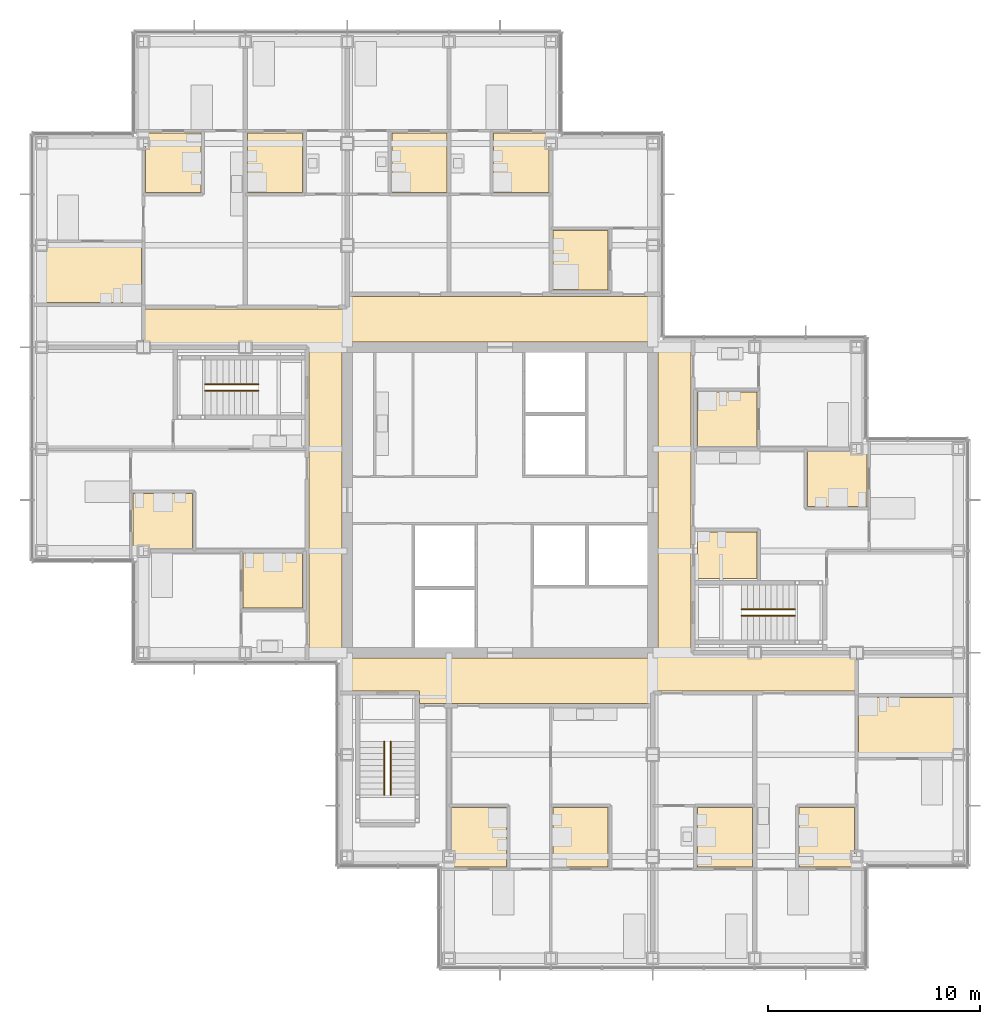
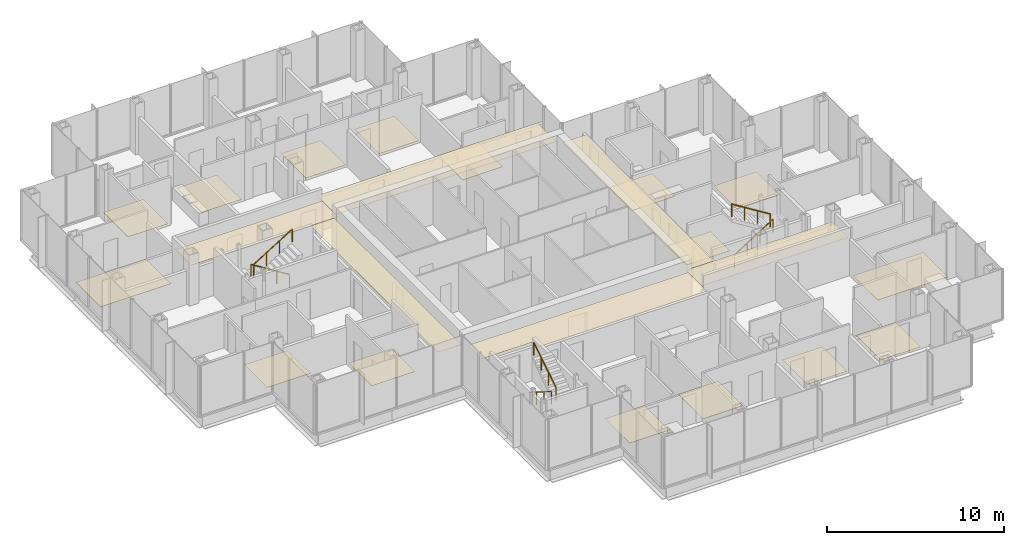
# One storey, part 18 of 20: 22 coverings, 6 railings.
"""IFC4 building model written with IfcOpenShell, lengths in metres."""

from ifc_helpers import new_model, si_unit, direction, frame, origin, origin_2d, place, context, subcontext, project, spatial, polyline, circle, outline, extrude, material, layer, layer_set, type_object, element, save


model = new_model("IFC4")

# Units and contexts
model_context = context("Model", 3, precision=1e-05, world=origin(), true_north=direction((0.0, 1.0)))
body_context = subcontext(model_context, "Body", "Model", "MODEL_VIEW")
ifc_project = project(units=[si_unit("LENGTHUNIT", "METRE"), si_unit("AREAUNIT", "SQUARE_METRE"), si_unit("VOLUMEUNIT", "CUBIC_METRE"), si_unit("PLANEANGLEUNIT", "RADIAN"), si_unit("MASSUNIT", "GRAM", prefix="KILO")], contexts=[model_context])

# Site, building, storey
site_placement = place(None, origin())
site = spatial("IfcSite", under=ifc_project, at=site_placement, CompositionType="ELEMENT")
building_placement = place(site_placement, origin())
building = spatial("IfcBuilding", under=site, at=building_placement, Name="Kvirike Care Tower", CompositionType="ELEMENT")
storey_placement = place(building_placement, frame((0.0, 0.0, 122.5)))
storey = spatial("IfcBuildingStorey", under=building, at=storey_placement, Name="L33", CompositionType="ELEMENT", Elevation=122.5)

# Coverings
ifc_material_1 = material(Name="Perforated metal ceiling tile", Category="aluminium")
ifc_layer_1 = layer(ifc_material_1, 0.014892578125)
ifc_layer_set_1 = layer_set([ifc_layer_1], Name="CORRIDOR CEILING 15")
covering_type_1 = type_object("IfcCoveringType", Name="CORRIDOR CEILING 15", PredefinedType="CEILING", material=ifc_layer_set_1)
covering_1_placement = place(storey_placement, frame((0.0, 0.0, 2.5)))
element("IfcCovering", 1, at=covering_1_placement, inside=storey, type_object=covering_type_1, Name="Corridor ceiling L33", PredefinedType="CEILING", context=body_context, shape_type="SweptSolid", body=[
    extrude(outline(polyline([(12.60009765625, 43.199951171875), (14.14990234375, 43.199951171875), (14.14990234375, 28.800048828125), (12.60009765625, 28.800048828125), (12.60009765625, 43.199951171875)])), origin(), (0.0, 0.0, 1.0), 0.014892578125),
])
covering_2_placement = place(storey_placement, frame((0.0, 0.0, 2.5)))
element("IfcCovering", 2, at=covering_2_placement, inside=storey, type_object=covering_type_1, Name="Corridor ceiling L33", PredefinedType="CEILING", context=body_context, shape_type="SweptSolid", body=[
    extrude(outline(polyline([(14.39990234375, 45.0), (14.39990234375, 43.199951171875), (4.800048828125, 43.199951171875), (4.800048828125, 45.0), (14.39990234375, 45.0)])), origin(), (0.0, 0.0, 1.0), 0.014892578125),
])
covering_3_placement = place(storey_placement, frame((0.0, 0.0, 2.5)))
element("IfcCovering", 3, at=covering_3_placement, inside=storey, type_object=covering_type_1, Name="Corridor ceiling L33", PredefinedType="CEILING", context=body_context, shape_type="SweptSolid", body=[
    extrude(outline(polyline([(14.39990234375, 28.550048828125), (28.800048828125, 28.550048828125), (28.800048828125, 26.39990234375), (17.800048828125, 26.39990234375), (17.800048828125, 27.0), (14.39990234375, 27.0), (14.39990234375, 28.550048828125)])), origin(), (0.0, 0.0, 1.0), 0.014892578125),
])
covering_4_placement = place(storey_placement, frame((0.0, 0.0, 2.5)))
element("IfcCovering", 4, at=covering_4_placement, inside=storey, type_object=covering_type_1, Name="Corridor ceiling L33", PredefinedType="CEILING", context=body_context, shape_type="SweptSolid", body=[
    extrude(outline(polyline([(28.800048828125, 45.60009765625), (28.800048828125, 43.449951171875), (14.39990234375, 43.449951171875), (14.39990234375, 45.60009765625), (28.800048828125, 45.60009765625)])), origin(), (0.0, 0.0, 1.0), 0.014892578125),
])
covering_5_placement = place(storey_placement, frame((0.0, 0.0, 2.5)))
element("IfcCovering", 5, at=covering_5_placement, inside=storey, type_object=covering_type_1, Name="Corridor ceiling L33", PredefinedType="CEILING", context=body_context, shape_type="SweptSolid", body=[
    extrude(outline(polyline([(28.800048828125, 27.0), (28.800048828125, 28.800048828125), (38.39990234375, 28.800048828125), (38.39990234375, 27.0), (28.800048828125, 27.0)])), origin(), (0.0, 0.0, 1.0), 0.014892578125),
])
covering_6_placement = place(storey_placement, frame((0.0, 0.0, 2.5)))
element("IfcCovering", 6, at=covering_6_placement, inside=storey, type_object=covering_type_1, Name="Corridor ceiling L33", PredefinedType="CEILING", context=body_context, shape_type="SweptSolid", body=[
    extrude(outline(polyline([(30.60009765625, 28.800048828125), (29.050048828125, 28.800048828125), (29.050048828125, 43.199951171875), (30.60009765625, 43.199951171875), (30.60009765625, 28.800048828125)])), origin(), (0.0, 0.0, 1.0), 0.014892578125),
])

# Railings
ifc_material_2 = material(Name="Stainless steel handrail", Category="steel")
railing_type = type_object("IfcRailingType", Name="STAIR HANDRAIL 900", PredefinedType="HANDRAIL", material=ifc_material_2)
railing_1_placement = place(storey_placement, frame((10.219970703125, 41.449951171875, 0.175048828125)))
element("IfcRailing", 7, at=railing_1_placement, inside=storey, type_object=railing_type, Name="Stair 1 handrail L33 flight 1", PredefinedType="HANDRAIL", context=body_context, shape_type="SweptSolid", body=[
    extrude(circle(Radius=0.02490234375, at=origin_2d()), frame((0.0, 0.0, 0.875), z_axis=(-0.848007534815, 0.0, 0.529984170421), x_axis=(0.0, -1.0, 0.0)), (0.0, 0.0, 1.0), 2.9716796875),
    extrude(circle(Radius=0.02001953125, at=origin_2d()), origin(), (0.0, 0.0, 1.0), 0.849853515625),
    extrude(circle(Radius=0.02001953125, at=origin_2d()), frame((-0.840087890625, 0.0, 0.52490234375)), (0.0, 0.0, 1.0), 0.849853515625),
    extrude(circle(Radius=0.02001953125, at=origin_2d()), frame((-1.679931640625, 0.0, 1.050048828125)), (0.0, 0.0, 1.0), 0.849853515625),
    extrude(circle(Radius=0.02001953125, at=origin_2d()), frame((-2.52001953125, 0.0, 1.574951171875)), (0.0, 0.0, 1.0), 0.849853515625),
])
for number, where, name in (
    (8, (7.699951171875, 41.14990234375, 1.925048828125), "Stair 1 handrail L33 flight 2"),
    (9, (32.97998046875, 30.550048828125, 0.175048828125), "Stair 2 handrail L33 flight 1"),
):
    element("IfcRailing", number, at=place(storey_placement, frame(where)), inside=storey, type_object=railing_type, Name=name, PredefinedType="HANDRAIL", context=body_context, shape_type="SweptSolid", body=[
        extrude(circle(Radius=0.02490234375, at=origin_2d()), frame((0.0, 0.0, 0.875), z_axis=(0.848007534815, 0.0, 0.529984170421), x_axis=(0.0, 1.0, 0.0)), (0.0, 0.0, 1.0), 2.9716796875),
        extrude(circle(Radius=0.02001953125, at=origin_2d()), origin(), (0.0, 0.0, 1.0), 0.849853515625),
        extrude(circle(Radius=0.02001953125, at=origin_2d()), frame((0.840087890625, 0.0, 0.52490234375)), (0.0, 0.0, 1.0), 0.849853515625),
        extrude(circle(Radius=0.02001953125, at=origin_2d()), frame((1.679931640625, 0.0, 1.050048828125)), (0.0, 0.0, 1.0), 0.849853515625),
        extrude(circle(Radius=0.02001953125, at=origin_2d()), frame((2.52001953125, 0.0, 1.574951171875)), (0.0, 0.0, 1.0), 0.849853515625),
    ])
railing_2_placement = place(storey_placement, frame((35.5, 30.85009765625, 1.925048828125)))
element("IfcRailing", 10, at=railing_2_placement, inside=storey, type_object=railing_type, Name="Stair 2 handrail L33 flight 2", PredefinedType="HANDRAIL", context=body_context, shape_type="SweptSolid", body=[
    extrude(circle(Radius=0.02490234375, at=origin_2d()), frame((0.0, 0.0, 0.875), z_axis=(-0.848007534815, 0.0, 0.529984170421), x_axis=(0.0, -1.0, 0.0)), (0.0, 0.0, 1.0), 2.9716796875),
    extrude(circle(Radius=0.02001953125, at=origin_2d()), origin(), (0.0, 0.0, 1.0), 0.849853515625),
    extrude(circle(Radius=0.02001953125, at=origin_2d()), frame((-0.840087890625, 0.0, 0.52490234375)), (0.0, 0.0, 1.0), 0.849853515625),
    extrude(circle(Radius=0.02001953125, at=origin_2d()), frame((-1.679931640625, 0.0, 1.050048828125)), (0.0, 0.0, 1.0), 0.849853515625),
    extrude(circle(Radius=0.02001953125, at=origin_2d()), frame((-2.52001953125, 0.0, 1.574951171875)), (0.0, 0.0, 1.0), 0.849853515625),
])
railing_3_placement = place(storey_placement, frame((16.14990234375, 24.6201171875, 0.175048828125)))
element("IfcRailing", 11, at=railing_3_placement, inside=storey, type_object=railing_type, Name="Stair 5 handrail L33 flight 1", PredefinedType="HANDRAIL", context=body_context, shape_type="SweptSolid", body=[
    extrude(circle(Radius=0.02490234375, at=origin_2d()), frame((0.0, 0.0, 0.875), z_axis=(0.0, -0.848007534815, 0.529984170421), x_axis=(1.0, 0.0, 0.0)), (0.0, 0.0, 1.0), 2.9716796875),
    extrude(circle(Radius=0.02001953125, at=origin_2d()), origin(), (0.0, 0.0, 1.0), 0.849853515625),
    extrude(circle(Radius=0.02001953125, at=origin_2d()), frame((0.0, -0.840087890625, 0.52490234375)), (0.0, 0.0, 1.0), 0.849853515625),
    extrude(circle(Radius=0.02001953125, at=origin_2d()), frame((0.0, -1.679931640625, 1.050048828125)), (0.0, 0.0, 1.0), 0.849853515625),
    extrude(circle(Radius=0.02001953125, at=origin_2d()), frame((0.0, -2.52001953125, 1.574951171875)), (0.0, 0.0, 1.0), 0.849853515625),
])
railing_4_placement = place(storey_placement, frame((16.449951171875, 22.10009765625, 1.925048828125)))
element("IfcRailing", 12, at=railing_4_placement, inside=storey, type_object=railing_type, Name="Stair 5 handrail L33 flight 2", PredefinedType="HANDRAIL", context=body_context, shape_type="SweptSolid", body=[
    extrude(circle(Radius=0.02490234375, at=origin_2d()), frame((0.0, 0.0, 0.875), z_axis=(0.0, 0.848007534815, 0.529984170421), x_axis=(-1.0, 0.0, 0.0)), (0.0, 0.0, 1.0), 2.9716796875),
    extrude(circle(Radius=0.02001953125, at=origin_2d()), origin(), (0.0, 0.0, 1.0), 0.849853515625),
    extrude(circle(Radius=0.02001953125, at=origin_2d()), frame((0.0, 0.840087890625, 0.52490234375)), (0.0, 0.0, 1.0), 0.849853515625),
    extrude(circle(Radius=0.02001953125, at=origin_2d()), frame((0.0, 1.679931640625, 1.050048828125)), (0.0, 0.0, 1.0), 0.849853515625),
    extrude(circle(Radius=0.02001953125, at=origin_2d()), frame((0.0, 2.52001953125, 1.574951171875)), (0.0, 0.0, 1.0), 0.849853515625),
])

# Coverings
ifc_material_3 = material(Name="Slip-resistant vinyl safety flooring on screed")
ifc_layer_2 = layer(ifc_material_3, 0.02001953125)
ifc_layer_set_2 = layer_set([ifc_layer_2], Name="WET ROOM FLOOR 20")
covering_type_2 = type_object("IfcCoveringType", Name="WET ROOM FLOOR 20", PredefinedType="FLOORING", material=ifc_layer_set_2)
covering_7_placement = place(storey_placement, origin())
element("IfcCovering", 13, at=covering_7_placement, inside=storey, type_object=covering_type_2, Name="En-suite floor L33-005", PredefinedType="FLOORING", context=body_context, shape_type="SweptSolid", body=[
    extrude(outline(polyline([(4.300048828125, 36.300048828125), (7.10009765625, 36.300048828125), (7.10009765625, 33.699951171875), (4.300048828125, 33.699951171875), (4.300048828125, 36.300048828125)])), origin(), (0.0, 0.0, 1.0), 0.02001953125),
])
covering_8_placement = place(storey_placement, origin())
element("IfcCovering", 14, at=covering_8_placement, inside=storey, type_object=covering_type_2, Name="En-suite floor L33-009", PredefinedType="FLOORING", context=body_context, shape_type="SweptSolid", body=[
    extrude(outline(polyline([(9.5, 33.5), (12.300048828125, 33.5), (12.300048828125, 30.89990234375), (9.5, 30.89990234375), (9.5, 33.5)])), origin(), (0.0, 0.0, 1.0), 0.02001953125),
])
covering_9_placement = place(storey_placement, origin())
element("IfcCovering", 15, at=covering_9_placement, inside=storey, type_object=covering_type_2, Name="En-suite floor L33-013", PredefinedType="FLOORING", context=body_context, shape_type="SweptSolid", body=[
    extrude(outline(polyline([(12.300048828125, 53.300048828125), (12.300048828125, 50.5), (9.699951171875, 50.5), (9.699951171875, 53.300048828125), (12.300048828125, 53.300048828125)])), origin(), (0.0, 0.0, 1.0), 0.02001953125),
])
covering_10_placement = place(storey_placement, origin())
element("IfcCovering", 16, at=covering_10_placement, inside=storey, type_object=covering_type_2, Name="En-suite floor L33-018", PredefinedType="FLOORING", context=body_context, shape_type="SweptSolid", body=[
    extrude(outline(polyline([(7.5, 53.300048828125), (7.5, 50.5), (4.89990234375, 50.5), (4.89990234375, 53.300048828125), (7.5, 53.300048828125)])), origin(), (0.0, 0.0, 1.0), 0.02001953125),
])
covering_11_placement = place(storey_placement, origin())
element("IfcCovering", 17, at=covering_11_placement, inside=storey, type_object=covering_type_2, Name="En-suite floor L33-019", PredefinedType="FLOORING", context=body_context, shape_type="SweptSolid", body=[
    extrude(outline(polyline([(4.699951171875, 48.10009765625), (4.699951171875, 45.300048828125), (0.10009765625, 45.300048828125), (0.10009765625, 48.10009765625), (4.699951171875, 48.10009765625)])), origin(), (0.0, 0.0, 1.0), 0.02001953125),
])
covering_12_placement = place(storey_placement, origin())
element("IfcCovering", 18, at=covering_12_placement, inside=storey, type_object=covering_type_2, Name="En-suite floor L33-026", PredefinedType="FLOORING", context=body_context, shape_type="SweptSolid", body=[
    extrude(outline(polyline([(19.300048828125, 18.699951171875), (19.300048828125, 21.5), (21.89990234375, 21.5), (21.89990234375, 18.699951171875), (19.300048828125, 18.699951171875)])), origin(), (0.0, 0.0, 1.0), 0.02001953125),
])
covering_13_placement = place(storey_placement, origin())
element("IfcCovering", 19, at=covering_13_placement, inside=storey, type_object=covering_type_2, Name="En-suite floor L33-027", PredefinedType="FLOORING", context=body_context, shape_type="SweptSolid", body=[
    extrude(outline(polyline([(24.10009765625, 18.699951171875), (24.10009765625, 21.5), (26.699951171875, 21.5), (26.699951171875, 18.699951171875), (24.10009765625, 18.699951171875)])), origin(), (0.0, 0.0, 1.0), 0.02001953125),
])
covering_14_placement = place(storey_placement, origin())
element("IfcCovering", 20, at=covering_14_placement, inside=storey, type_object=covering_type_2, Name="Assisted bathroom floor L33-032", PredefinedType="FLOORING", context=body_context, shape_type="SweptSolid", body=[
    extrude(outline(polyline([(26.699951171875, 48.699951171875), (26.699951171875, 45.89990234375), (24.10009765625, 45.89990234375), (24.10009765625, 48.699951171875), (26.699951171875, 48.699951171875)])), origin(), (0.0, 0.0, 1.0), 0.02001953125),
])
covering_15_placement = place(storey_placement, origin())
element("IfcCovering", 21, at=covering_15_placement, inside=storey, type_object=covering_type_2, Name="En-suite floor L33-035", PredefinedType="FLOORING", context=body_context, shape_type="SweptSolid", body=[
    extrude(outline(polyline([(23.89990234375, 53.300048828125), (23.89990234375, 50.5), (21.300048828125, 50.5), (21.300048828125, 53.300048828125), (23.89990234375, 53.300048828125)])), origin(), (0.0, 0.0, 1.0), 0.02001953125),
])
covering_16_placement = place(storey_placement, origin())
element("IfcCovering", 22, at=covering_16_placement, inside=storey, type_object=covering_type_2, Name="En-suite floor L33-039", PredefinedType="FLOORING", context=body_context, shape_type="SweptSolid", body=[
    extrude(outline(polyline([(19.10009765625, 53.300048828125), (19.10009765625, 50.5), (16.5, 50.5), (16.5, 53.300048828125), (19.10009765625, 53.300048828125)])), origin(), (0.0, 0.0, 1.0), 0.02001953125),
])
covering_17_placement = place(storey_placement, origin())
element("IfcCovering", 23, at=covering_17_placement, inside=storey, type_object=covering_type_2, Name="En-suite floor L33-044", PredefinedType="FLOORING", context=body_context, shape_type="SweptSolid", body=[
    extrude(outline(polyline([(30.89990234375, 18.699951171875), (30.89990234375, 21.5), (33.5, 21.5), (33.5, 18.699951171875), (30.89990234375, 18.699951171875)])), origin(), (0.0, 0.0, 1.0), 0.02001953125),
])
covering_18_placement = place(storey_placement, origin())
element("IfcCovering", 24, at=covering_18_placement, inside=storey, type_object=covering_type_2, Name="En-suite floor L33-049", PredefinedType="FLOORING", context=body_context, shape_type="SweptSolid", body=[
    extrude(outline(polyline([(35.699951171875, 18.699951171875), (35.699951171875, 21.5), (38.300048828125, 21.5), (38.300048828125, 18.699951171875), (35.699951171875, 18.699951171875)])), origin(), (0.0, 0.0, 1.0), 0.02001953125),
])
covering_19_placement = place(storey_placement, origin())
element("IfcCovering", 25, at=covering_19_placement, inside=storey, type_object=covering_type_2, Name="En-suite floor L33-050", PredefinedType="FLOORING", context=body_context, shape_type="SweptSolid", body=[
    extrude(outline(polyline([(38.5, 23.89990234375), (38.5, 26.699951171875), (43.10009765625, 26.699951171875), (43.10009765625, 23.89990234375), (38.5, 23.89990234375)])), origin(), (0.0, 0.0, 1.0), 0.02001953125),
])
covering_20_placement = place(storey_placement, origin())
element("IfcCovering", 26, at=covering_20_placement, inside=storey, type_object=covering_type_2, Name="Accessible WC floor L33-056", PredefinedType="FLOORING", context=body_context, shape_type="SweptSolid", body=[
    extrude(outline(polyline([(33.699951171875, 32.300048828125), (30.89990234375, 32.300048828125), (30.89990234375, 34.5), (33.699951171875, 34.5), (33.699951171875, 32.300048828125)])), origin(), (0.0, 0.0, 1.0), 0.02001953125),
])
covering_21_placement = place(storey_placement, origin())
element("IfcCovering", 27, at=covering_21_placement, inside=storey, type_object=covering_type_2, Name="En-suite floor L33-057", PredefinedType="FLOORING", context=body_context, shape_type="SweptSolid", body=[
    extrude(outline(polyline([(38.89990234375, 35.699951171875), (36.10009765625, 35.699951171875), (36.10009765625, 38.300048828125), (38.89990234375, 38.300048828125), (38.89990234375, 35.699951171875)])), origin(), (0.0, 0.0, 1.0), 0.02001953125),
])
covering_22_placement = place(storey_placement, origin())
element("IfcCovering", 28, at=covering_22_placement, inside=storey, type_object=covering_type_2, Name="En-suite floor L33-060", PredefinedType="FLOORING", context=body_context, shape_type="SweptSolid", body=[
    extrude(outline(polyline([(33.699951171875, 38.5), (30.89990234375, 38.5), (30.89990234375, 41.10009765625), (33.699951171875, 41.10009765625), (33.699951171875, 38.5)])), origin(), (0.0, 0.0, 1.0), 0.02001953125),
])

save(model, "model.ifc")
